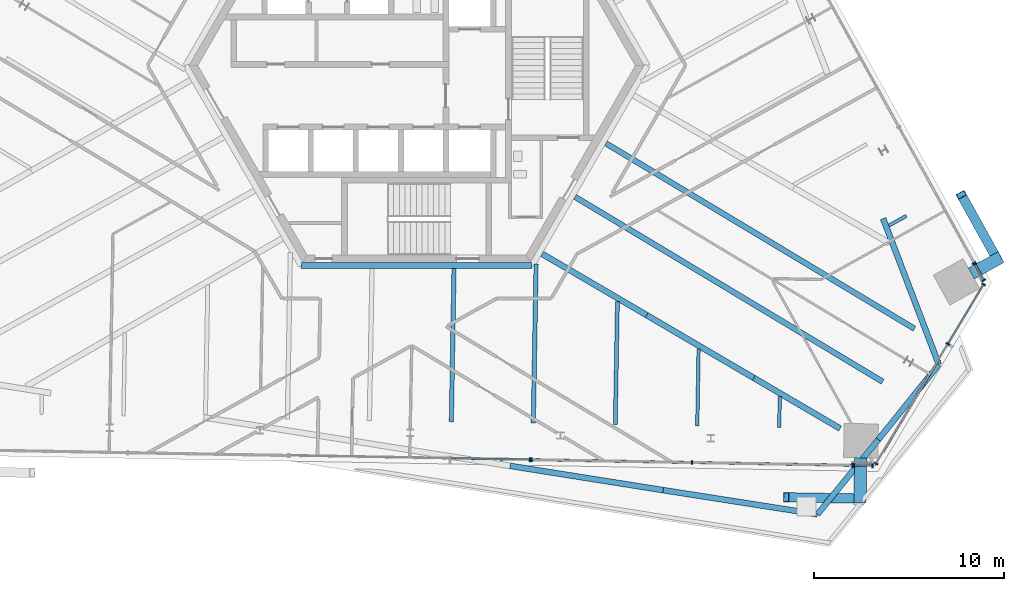
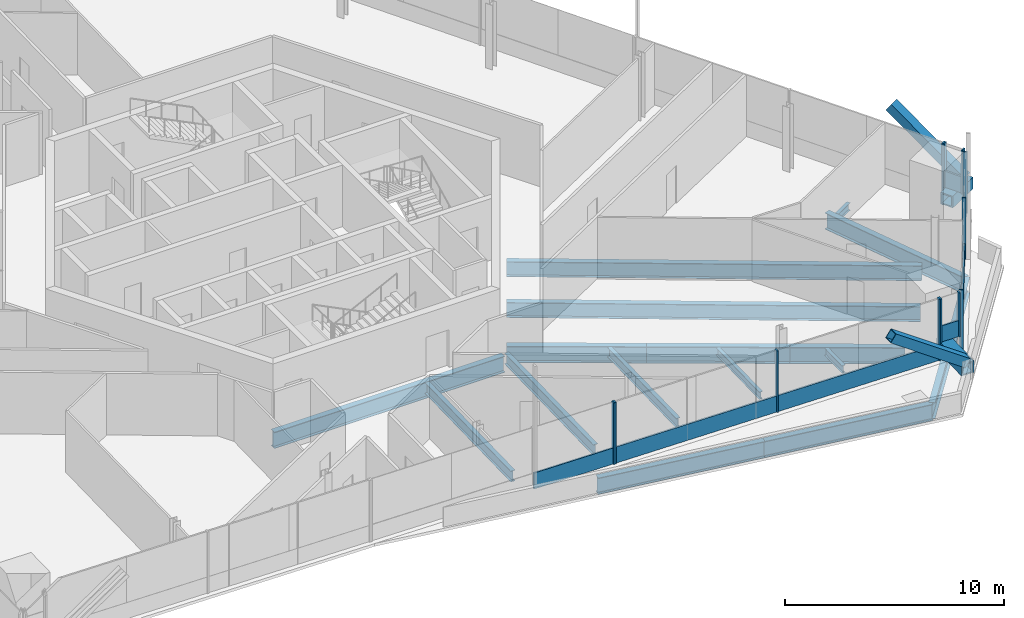
# One storey, part 6 of 22: 23 members, 17 beams, 6 elements without a shape of their own.
"""IFC4 building model written with IfcOpenShell, lengths in metres."""

from ifc_helpers import new_model, si_unit, direction, frame, origin, origin_2d, place, context, subcontext, project, spatial, rectangle, hollow_rectangle, i_section, extrude, source, transform, mapped, material, material_profile, profile_set, type_object, element, aggregate, save


model = new_model("IFC4")

# Units and contexts
model_context = context("Model", 3, precision=1e-05, world=origin(), true_north=direction((0.0, 1.0)))
body_context = subcontext(model_context, "Body", "Model", "MODEL_VIEW")
ifc_project = project(units=[si_unit("LENGTHUNIT", "METRE"), si_unit("AREAUNIT", "SQUARE_METRE"), si_unit("VOLUMEUNIT", "CUBIC_METRE"), si_unit("PLANEANGLEUNIT", "RADIAN"), si_unit("MASSUNIT", "GRAM", prefix="KILO")], contexts=[model_context])

# Site, building, storey
site_placement = place(None, origin())
site = spatial("IfcSite", under=ifc_project, at=site_placement, CompositionType="ELEMENT")
building_placement = place(site_placement, origin())
building = spatial("IfcBuilding", under=site, at=building_placement, Name="Triune Harvest Tower", CompositionType="ELEMENT")
storey_placement = place(building_placement, frame((0.0, 0.0, 179.89990234375)))
storey = spatial("IfcBuildingStorey", under=building, at=storey_placement, Name="L46", CompositionType="ELEMENT", Elevation=179.89990234375)

# Beams
ifc_material_1 = material(Name="Steel ASTM A992 Gr 50", Category="steel")
ifc_material_profile_1 = material_profile(ifc_material_1, i_section(OverallWidth=0.307373046875, OverallDepth=0.922119140625, WebThickness=0.018310546875, FlangeThickness=0.030029296875, at=origin_2d()), Name="W36x182")
ifc_profile_set_1 = profile_set([ifc_material_profile_1], Name="Steel ASTM A992 Gr 50")
beam_type_1 = type_object("IfcBeamType", Name="HG-2 Hip girder W36x182", PredefinedType="BEAM", material=ifc_profile_set_1)
beam_1_placement = place(storey_placement, frame((22.340576171875, -19.142822265625, -0.620849609375), z_axis=(-0.86273974144, 0.505648235971, 0.0), x_axis=(-0.505648235971, -0.86273974144, 0.0)))
element("IfcBeam", 1, at=beam_1_placement, inside=storey, type_object=beam_type_1, Name="beam/L46/HG8", PredefinedType="BEAM", context=body_context, shape_type="SweptSolid", body=[
    extrude(i_section(OverallWidth=0.307373046875, OverallDepth=0.922119140625, WebThickness=0.018310546875, FlangeThickness=0.030029296875, at=origin_2d()), origin(), (0.0, 0.0, 1.0), 5.275390625),
])
ifc_material_2 = material(Name="Steel ASTM A992 Gr 50", Category="steel")
ifc_material_profile_2 = material_profile(ifc_material_2, i_section(OverallWidth=0.180908203125, OverallDepth=0.41650390625, WebThickness=0.010986328125, FlangeThickness=0.01806640625, at=origin_2d()), Name="W16x57")
ifc_profile_set_2 = profile_set([ifc_material_profile_2], Name="Steel ASTM A992 Gr 50")
beam_type_2 = type_object("IfcBeamType", Name="JT-1 Floor joist W16x57", PredefinedType="JOIST", material=ifc_profile_set_2)
beam_2_placement = place(storey_placement, frame((14.80419921875, -19.01123046875, -0.3681640625), z_axis=(0.017471661648, 0.99984735887, 0.0), x_axis=(-0.99984735887, 0.017471661648, 0.0)))
element("IfcBeam", 2, at=beam_2_placement, inside=storey, type_object=beam_type_2, Name="beam/L46/JT33", PredefinedType="JOIST", context=body_context, shape_type="SweptSolid", body=[
    extrude(i_section(OverallWidth=0.180908203125, OverallDepth=0.41650390625, WebThickness=0.010986328125, FlangeThickness=0.01806640625, at=origin_2d()), origin(), (0.0, 0.0, 1.0), 4.06640625),
])
ifc_material_3 = material(Name="Steel ASTM A992 Gr 50", Category="steel")
ifc_material_profile_3 = material_profile(ifc_material_3, i_section(OverallWidth=0.2099609375, OverallDepth=0.535888671875, WebThickness=0.010986328125, FlangeThickness=0.017333984375, at=origin_2d()), Name="W21x68")
ifc_profile_set_3 = profile_set([ifc_material_profile_3], Name="Steel ASTM A992 Gr 50")
beam_type_3 = type_object("IfcBeamType", Name="JT-2 Floor joist W21x68", PredefinedType="JOIST", material=ifc_profile_set_3)
beam_3_placement = place(storey_placement, frame((10.48095703125, -18.935791015625, -0.427978515625), z_axis=(0.017465404685, 0.999847468187, 0.0), x_axis=(-0.999847468187, 0.017465404685, 0.0)))
element("IfcBeam", 3, at=beam_3_placement, inside=storey, type_object=beam_type_3, Name="beam/L46/JT32", PredefinedType="JOIST", context=body_context, shape_type="SweptSolid", body=[
    extrude(i_section(OverallWidth=0.2099609375, OverallDepth=0.535888671875, WebThickness=0.010986328125, FlangeThickness=0.017333984375, at=origin_2d()), origin(), (0.0, 0.0, 1.0), 6.5),
])
ifc_material_4 = material(Name="Steel ASTM A992 Gr 50", Category="steel")
ifc_material_profile_4 = material_profile(ifc_material_4, i_section(OverallWidth=0.22900390625, OverallDepth=0.612060546875, WebThickness=0.011962890625, FlangeThickness=0.01953125, at=origin_2d()), Name="W24x84")
ifc_profile_set_4 = profile_set([ifc_material_profile_4], Name="Steel ASTM A992 Gr 50")
beam_type_4 = type_object("IfcBeamType", Name="JT-3 Floor joist W24x84", PredefinedType="JOIST", material=ifc_profile_set_4)
beam_4_placement = place(storey_placement, frame((1.83447265625, -18.784912109375, -0.466064453125), z_axis=(0.017444821429, 0.999847827524, 0.0), x_axis=(-0.999847827524, 0.017444821429, 0.0)))
element("IfcBeam", 4, at=beam_4_placement, inside=storey, type_object=beam_type_4, Name="beam/L46/JT30", PredefinedType="JOIST", context=body_context, shape_type="SweptSolid", body=[
    extrude(i_section(OverallWidth=0.22900390625, OverallDepth=0.612060546875, WebThickness=0.011962890625, FlangeThickness=0.01953125, at=origin_2d()), origin(), (0.0, 0.0, 1.0), 8.089111328125),
])
ifc_material_5 = material(Name="Steel ASTM A992 Gr 50", Category="steel")
ifc_material_profile_5 = material_profile(ifc_material_5, i_section(OverallWidth=0.2919921875, OverallDepth=0.8408203125, WebThickness=0.0146484375, FlangeThickness=0.021728515625, at=origin_2d()), Name="W33x130")
ifc_profile_set_5 = profile_set([ifc_material_profile_5], Name="Steel ASTM A992 Gr 50")
beam_type_5 = type_object("IfcBeamType", Name="JT-6 Floor joist W33x130", PredefinedType="JOIST", material=ifc_profile_set_5)
beam_5_placement = place(storey_placement, frame((26.260986328125, -13.87841796875, -0.580322265625), z_axis=(-0.857160331704, 0.515049673093, 0.0), x_axis=(-0.515049673093, -0.857160331704, 0.0)))
element("IfcBeam", 5, at=beam_5_placement, inside=storey, type_object=beam_type_5, Name="beam/L46/JT36", PredefinedType="JOIST", context=body_context, shape_type="SweptSolid", body=[
    extrude(i_section(OverallWidth=0.2919921875, OverallDepth=0.8408203125, WebThickness=0.0146484375, FlangeThickness=0.021728515625, at=origin_2d()), origin(), (0.0, 0.0, 1.0), 18.987548828125),
])
ifc_material_6 = material(Name="Steel ASTM A992 Gr 50", Category="steel")
ifc_material_profile_6 = material_profile(ifc_material_6, i_section(OverallWidth=0.3046875, OverallDepth=0.914306640625, WebThickness=0.0166015625, FlangeThickness=0.02587890625, at=origin_2d()), Name="W36x160")
ifc_profile_set_6 = profile_set([ifc_material_profile_6], Name="Steel ASTM A992 Gr 50")
beam_type_6 = type_object("IfcBeamType", Name="CG-1 Core ring girder W36x160", PredefinedType="BEAM", material=ifc_profile_set_6)
shared_shape_1 = source(origin(), body_context, "Body", "SweptSolid", [
    extrude(i_section(OverallWidth=0.3046875, OverallDepth=0.914306640625, WebThickness=0.0166015625, FlangeThickness=0.02587890625, at=origin_2d()), origin(), (0.0, 0.0, 1.0), 12.17578125),
])
beam_6_placement = place(storey_placement, frame((-6.087890625, -10.544677734375, -0.6171875), z_axis=(1.0, 0.0, 0.0), x_axis=(0.0, 1.0, 0.0)))
element("IfcBeam", 6, at=beam_6_placement, inside=storey, type_object=beam_type_6, Name="beam/L46/CG5", PredefinedType="BEAM", context=body_context, shape_type="MappedRepresentation", body=[
    mapped(shared_shape_1, transform((0.0, 0.0, 0.0), scale=1.0)),
])
ifc_material_7 = material(Name="Steel ASTM A992 Gr 50", Category="steel")
ifc_material_profile_7 = material_profile(ifc_material_7, i_section(OverallWidth=0.3046875, OverallDepth=0.914306640625, WebThickness=0.0166015625, FlangeThickness=0.02587890625, at=origin_2d()), Name="W36x160")
ifc_profile_set_7 = profile_set([ifc_material_profile_7], Name="Steel ASTM A992 Gr 50")
beam_type_7 = type_object("IfcBeamType", Name="SB-1 Spandrel beam W36x160", PredefinedType="SPANDREL", material=ifc_profile_set_7)
shared_shape_2 = source(origin(), body_context, "Body", "SweptSolid", [
    extrude(i_section(OverallWidth=0.3046875, OverallDepth=0.914306640625, WebThickness=0.0166015625, FlangeThickness=0.02587890625, at=origin_2d()), origin(), (0.0, 0.0, 1.0), 8.235107421875),
])
for number, where, z_axis, x_axis, name in (
    (7, (27.54345703125, -15.76123046875, -0.6171875), (-0.356530317447, 0.934283753868, 0.0), (-0.934283753868, -0.356530317447, 0.0), "beam/L46/WB1"),
    (8, (13.007080078125, -22.392333984375, -0.6171875), (0.987990262641, -0.15451615102, 0.0), (0.15451615102, 0.987990262641, 0.0), "beam/L46/WB19"),
):
    element("IfcBeam", number, at=place(storey_placement, frame(where, z_axis=z_axis, x_axis=x_axis)), inside=storey, type_object=beam_type_7, Name=name, PredefinedType="SPANDREL", context=body_context, shape_type="MappedRepresentation", body=[
        mapped(shared_shape_2, transform((0.0, 0.0, 0.0), scale=1.0)),
    ])
shared_shape_3 = source(origin(), body_context, "Body", "SweptSolid", [
    extrude(i_section(OverallWidth=0.3046875, OverallDepth=0.914306640625, WebThickness=0.0166015625, FlangeThickness=0.02587890625, at=origin_2d()), origin(), (0.0, 0.0, 1.0), 8.1748046875),
])
beam_7_placement = place(storey_placement, frame((4.932861328125, -21.113525390625, -0.6171875), z_axis=(0.987688756855, -0.156431836853, 0.0), x_axis=(0.156431836853, 0.987688756855, 0.0)))
element("IfcBeam", 9, at=beam_7_placement, inside=storey, type_object=beam_type_7, Name="beam/L46/WB18", PredefinedType="SPANDREL", context=body_context, shape_type="MappedRepresentation", body=[
    mapped(shared_shape_3, transform((0.0, 0.0, 0.0), scale=1.0)),
])
shared_shape_4 = source(origin(), body_context, "Body", "SweptSolid", [
    extrude(i_section(OverallWidth=0.3046875, OverallDepth=0.914306640625, WebThickness=0.0166015625, FlangeThickness=0.02587890625, at=origin_2d()), origin(), (0.0, 0.0, 1.0), 5.0849609375),
])
for number, where, z_axis, x_axis, name in (
    (10, (21.143310546875, -23.664794921875, -0.6171875), (0.631783018922, 0.775145287673, 0.0), (-0.775145287673, 0.631783018922, 0.0), "beam/L46/WB20"),
    (11, (24.35595703125, -19.72314453125, -0.6171875), (0.626847363453, 0.779142081351, 0.0), (-0.779142081351, 0.626847363453, 0.0), "beam/L46/WB21"),
):
    element("IfcBeam", number, at=place(storey_placement, frame(where, z_axis=z_axis, x_axis=x_axis)), inside=storey, type_object=beam_type_7, Name=name, PredefinedType="SPANDREL", context=body_context, shape_type="MappedRepresentation", body=[
        mapped(shared_shape_4, transform((0.0, 0.0, 0.0), scale=1.0)),
    ])
shared_shape_5 = source(origin(), body_context, "Body", "SweptSolid", [
    extrude(i_section(OverallWidth=0.307373046875, OverallDepth=0.922119140625, WebThickness=0.018310546875, FlangeThickness=0.030029296875, at=origin_2d()), origin(), (0.0, 0.0, 1.0), 6.549560546875),
])
beam_8_placement = place(storey_placement, frame((17.789306640625, -16.475341796875, -0.620849609375), z_axis=(-0.862742829324, 0.50564296737, 0.0), x_axis=(-0.50564296737, -0.862742829324, 0.0)))
element("IfcBeam", 12, at=beam_8_placement, inside=storey, type_object=beam_type_1, Name="beam/L46/HG9", PredefinedType="BEAM", context=body_context, shape_type="MappedRepresentation", body=[
    mapped(shared_shape_5, transform((0.0, 0.0, 0.0), scale=1.0)),
])
shared_shape_6 = source(origin(), body_context, "Body", "SweptSolid", [
    extrude(i_section(OverallWidth=0.307373046875, OverallDepth=0.922119140625, WebThickness=0.018310546875, FlangeThickness=0.030029296875, at=origin_2d()), origin(), (0.0, 0.0, 1.0), 6.397216796875),
])
beam_9_placement = place(storey_placement, frame((12.138671875, -13.16357421875, -0.620849609375), z_axis=(-0.862754230068, 0.505623514583, 0.0), x_axis=(-0.505623514583, -0.862754230068, 0.0)))
element("IfcBeam", 13, at=beam_9_placement, inside=storey, type_object=beam_type_1, Name="beam/L46/HG10", PredefinedType="BEAM", context=body_context, shape_type="MappedRepresentation", body=[
    mapped(shared_shape_6, transform((0.0, 0.0, 0.0), scale=1.0)),
])
shared_shape_7 = source(origin(), body_context, "Body", "SweptSolid", [
    extrude(i_section(OverallWidth=0.180908203125, OverallDepth=0.41650390625, WebThickness=0.010986328125, FlangeThickness=0.01806640625, at=origin_2d()), origin(), (0.0, 0.0, 1.0), 1.052490234375),
])
beam_10_placement = place(storey_placement, frame((25.83251953125, -7.927978515625, -0.3681640625), z_axis=(-0.874649154322, -0.484756492318, 0.0), x_axis=(0.484756492318, -0.874649154322, 0.0)))
element("IfcBeam", 14, at=beam_10_placement, inside=storey, type_object=beam_type_2, Name="beam/L46/JT1", PredefinedType="JOIST", context=body_context, shape_type="MappedRepresentation", body=[
    mapped(shared_shape_7, transform((0.0, 0.0, 0.0), scale=1.0)),
])
shared_shape_8 = source(origin(), body_context, "Body", "SweptSolid", [
    extrude(i_section(OverallWidth=0.22900390625, OverallDepth=0.612060546875, WebThickness=0.011962890625, FlangeThickness=0.01953125, at=origin_2d()), origin(), (0.0, 0.0, 1.0), 8.38623046875),
])
beam_11_placement = place(storey_placement, frame((6.15771484375, -18.8603515625, -0.466064453125), z_axis=(0.017467126594, 0.999847438107, 0.0), x_axis=(-0.999847438107, 0.017467126594, 0.0)))
element("IfcBeam", 15, at=beam_11_placement, inside=storey, type_object=beam_type_4, Name="beam/L46/JT31", PredefinedType="JOIST", context=body_context, shape_type="MappedRepresentation", body=[
    mapped(shared_shape_8, transform((0.0, 0.0, 0.0), scale=1.0)),
])
shared_shape_9 = source(origin(), body_context, "Body", "SweptSolid", [
    extrude(i_section(OverallWidth=0.180908203125, OverallDepth=0.41650390625, WebThickness=0.010986328125, FlangeThickness=0.01806640625, at=origin_2d()), origin(), (0.0, 0.0, 1.0), 1.63232421875),
])
beam_12_placement = place(storey_placement, frame((19.12744140625, -19.086669921875, -0.3681640625), z_axis=(0.017499189927, 0.999846877453, 0.0), x_axis=(-0.999846877453, 0.017499189927, 0.0)))
element("IfcBeam", 16, at=beam_12_placement, inside=storey, type_object=beam_type_2, Name="beam/L46/JT34", PredefinedType="JOIST", context=body_context, shape_type="MappedRepresentation", body=[
    mapped(shared_shape_9, transform((0.0, 0.0, 0.0), scale=1.0)),
])
shared_shape_10 = source(origin(), body_context, "Body", "SweptSolid", [
    extrude(i_section(OverallWidth=0.2919921875, OverallDepth=0.8408203125, WebThickness=0.0146484375, FlangeThickness=0.021728515625, at=origin_2d()), origin(), (0.0, 0.0, 1.0), 18.930908203125),
])
beam_13_placement = place(storey_placement, frame((24.58251953125, -16.671875, -0.580322265625), z_axis=(-0.857162751854, 0.515045645389, 0.0), x_axis=(-0.515045645389, -0.857162751854, 0.0)))
element("IfcBeam", 17, at=beam_13_placement, inside=storey, type_object=beam_type_5, Name="beam/L46/JT35", PredefinedType="JOIST", context=body_context, shape_type="MappedRepresentation", body=[
    mapped(shared_shape_10, transform((0.0, 0.0, 0.0), scale=1.0)),
])

# Members
ifc_material_8 = material(Name="Steel ASTM A572 Gr 50", Category="steel")
ifc_material_profile_8 = material_profile(ifc_material_8, hollow_rectangle(XDim=0.64990234375, YDim=0.64990234375, WallThickness=0.070068359375, at=origin_2d()), Name="Box 650x650x70")
ifc_profile_set_8 = profile_set([ifc_material_profile_8], Name="Steel ASTM A572 Gr 50")
member_type_1 = type_object("IfcMemberType", Name="BS-1 Brace stub Box 650x650x70", PredefinedType="STRUT", material=ifc_profile_set_8)
shared_shape_11 = source(origin(), body_context, "Body", "SweptSolid", [
    extrude(hollow_rectangle(XDim=0.64990234375, YDim=0.64990234375, WallThickness=0.070068359375, at=origin_2d()), origin(), (0.0, 0.0, 1.0), 1.787109375),
])
member_1_placement = place(storey_placement, frame((29.262451171875, -10.970458984375, 0.60009765625), z_axis=(0.874601548989, 0.48484237697, 0.0), x_axis=(-0.48484237697, 0.874601548989, 0.0)))
element("IfcMember", 18, at=member_1_placement, inside=storey, type_object=member_type_1, Name="brace/B5-F1/stub1", PredefinedType="STRUT", context=body_context, shape_type="MappedRepresentation", body=[
    mapped(shared_shape_11, transform((0.0, 0.0, 0.0), scale=1.0)),
])
ifc_material_9 = material(Name="Steel ASTM A572 Gr 50", Category="steel")
ifc_material_profile_9 = material_profile(ifc_material_9, hollow_rectangle(XDim=0.5, YDim=0.5, WallThickness=0.030029296875, at=origin_2d()), Name="Box 500x500x30")
ifc_profile_set_9 = profile_set([ifc_material_profile_9], Name="Steel ASTM A572 Gr 50")
member_type_2 = type_object("IfcMemberType", Name="BR-3 Brace Box 500x500x30", PredefinedType="BRACE", material=ifc_profile_set_9)
shared_shape_12 = source(origin(), body_context, "Body", "SweptSolid", [
    extrude(hollow_rectangle(XDim=0.5, YDim=0.5, WallThickness=0.030029296875, at=origin_2d()), origin(), (0.0, 0.0, 1.0), 4.74462890625),
])
for number, where, z_axis, x_axis, name in (
    (19, (30.6201171875, -10.218017578125, 0.89013671875), (-0.398004214914, 0.717899781057, 0.571150198519), (-0.874585679442, -0.484871002758, 0.0), "brace/B5-F1/d1/1"),
    (20, (23.38671875, -22.838623046875, 0.89013671875), (-0.820716318027, 0.014304648051, 0.571156810665), (-0.017426820271, -0.999848141437, 0.0), "brace/B5-F5/d2/1"),
):
    element("IfcMember", number, at=place(storey_placement, frame(where, z_axis=z_axis, x_axis=x_axis)), inside=storey, type_object=member_type_2, Name=name, PredefinedType="BRACE", context=body_context, shape_type="MappedRepresentation", body=[
        mapped(shared_shape_12, transform((0.0, 0.0, 0.0), scale=1.0)),
    ])
shared_shape_13 = source(origin(), body_context, "Body", "SweptSolid", [
    extrude(hollow_rectangle(XDim=0.64990234375, YDim=0.64990234375, WallThickness=0.070068359375, at=origin_2d()), origin(), (0.0, 0.0, 1.0), 2.386962890625),
])
member_2_placement = place(storey_placement, frame((23.42431640625, -20.68701171875, 0.60009765625), z_axis=(-0.017489141378, -0.999847053271, 0.0), x_axis=(0.999847053271, -0.017489141378, 0.0)))
element("IfcMember", 21, at=member_2_placement, inside=storey, type_object=member_type_1, Name="brace/B5-F5/stub3", PredefinedType="STRUT", context=body_context, shape_type="MappedRepresentation", body=[
    mapped(shared_shape_13, transform((0.0, 0.0, 0.0), scale=1.0)),
])

# Curtain wall, member
ifc_material_10 = material(Name="Aluminium bronze anodised", Category="aluminium")
curtain_wall_type_1 = type_object("IfcCurtainWallType", Name="CW-7 Tower stick curtain wall with insulated spandrel infill", PredefinedType="NOTDEFINED", material=ifc_material_10)
curtain_wall_1_placement = place(storey_placement, origin())
curtain_wall_1 = element("IfcCurtainWall", 22, at=curtain_wall_1_placement, inside=storey, type_object=curtain_wall_type_1, Name="CW-7 B5-F1 L46 run 101")
ifc_material_11 = material(Name="Aluminium bronze anodised", Category="aluminium")
ifc_material_profile_10 = material_profile(ifc_material_11, rectangle(XDim=0.199951171875, YDim=0.074951171875, at=origin_2d()), Name="MU-1 mullion 75 x 200")
ifc_profile_set_10 = profile_set([ifc_material_profile_10], Name="Aluminium bronze anodised")
member_type_3 = type_object("IfcMemberType", Name="MU-1 mullion 75 x 200", PredefinedType="MULLION", material=ifc_profile_set_10)
shared_shape_14 = source(origin(), body_context, "Body", "SweptSolid", [
    extrude(rectangle(XDim=0.199951171875, YDim=0.074951171875, at=origin_2d()), origin(), (0.0, 0.0, 1.0), 3.440185546875),
])
member_3_placement = place(storey_placement, frame((29.409423828125, -10.406005859375, 0.0), z_axis=(0.0, 0.0, 1.0), x_axis=(-0.874619307307, -0.484810341563, 0.0)))
member_3 = element("IfcMember", 23, at=member_3_placement, type_object=member_type_3, Name="CW-7 mullion B5-F1 101.1", PredefinedType="MULLION", context=body_context, shape_type="MappedRepresentation", body=[
    mapped(shared_shape_14, transform((0.0, 0.0, 0.0), scale=1.0)),
])
aggregate(curtain_wall_1, [member_3])

ifc_material_12 = material(Name="Aluminium bronze anodised", Category="aluminium")
curtain_wall_type_2 = type_object("IfcCurtainWallType", Name="CW-1 Tower stick curtain wall", PredefinedType="NOTDEFINED", material=ifc_material_12)
curtain_wall_2_placement = place(storey_placement, origin())
curtain_wall_2 = element("IfcCurtainWall", 24, at=curtain_wall_2_placement, inside=storey, type_object=curtain_wall_type_2, Name="CW-1 B5-F5 L46 run 1101")
member_4_placement = place(storey_placement, frame((5.9814453125, -20.78466796875, 0.0), z_axis=(0.0, 0.0, 1.0), x_axis=(0.017450593962, 0.999847726792, 0.0)))
member_4 = element("IfcMember", 25, at=member_4_placement, type_object=member_type_3, Name="CW-1 mullion B5-F5 1101.4", PredefinedType="MULLION", context=body_context, shape_type="MappedRepresentation", body=[
    mapped(shared_shape_14, transform((0.0, 0.0, 0.0), scale=1.0)),
])

# Curtain wall, members
curtain_wall_3_placement = place(storey_placement, origin())
curtain_wall_3 = element("IfcCurtainWall", 26, at=curtain_wall_3_placement, inside=storey, type_object=curtain_wall_type_1, Name="CW-7 B5-F5 L46 run 2101")
member_5_placement = place(storey_placement, frame((6.056396484375, -20.785888671875, 0.0), z_axis=(0.0, 0.0, 1.0), x_axis=(0.017454373979, 0.999847660811, 0.0)))
member_5 = element("IfcMember", 27, at=member_5_placement, type_object=member_type_3, Name="CW-7 mullion B5-F5 2101.1", PredefinedType="MULLION", context=body_context, shape_type="MappedRepresentation", body=[
    mapped(shared_shape_14, transform((0.0, 0.0, 0.0), scale=1.0)),
])
member_6_placement = place(storey_placement, frame((14.525634765625, -20.933837890625, 0.0), z_axis=(0.0, 0.0, 1.0), x_axis=(0.017454373979, 0.999847660811, 0.0)))
member_6 = element("IfcMember", 28, at=member_6_placement, type_object=member_type_3, Name="CW-7 mullion B5-F5 2101.3", PredefinedType="MULLION", context=body_context, shape_type="MappedRepresentation", body=[
    mapped(shared_shape_14, transform((0.0, 0.0, 0.0), scale=1.0)),
])
member_7_placement = place(storey_placement, frame((22.99462890625, -21.08154296875, 0.0), z_axis=(0.0, 0.0, 1.0), x_axis=(0.017454373979, 0.999847660811, 0.0)))
member_7 = element("IfcMember", 29, at=member_7_placement, type_object=member_type_3, Name="CW-7 mullion B5-F5 2101.5", PredefinedType="MULLION", context=body_context, shape_type="MappedRepresentation", body=[
    mapped(shared_shape_14, transform((0.0, 0.0, 0.0), scale=1.0)),
])

curtain_wall_4_placement = place(storey_placement, origin())
curtain_wall_4 = element("IfcCurtainWall", 30, at=curtain_wall_4_placement, inside=storey, type_object=curtain_wall_type_2, Name="CW-1 B5-F6 L46 run 1")
member_8_placement = place(storey_placement, frame((24.234619140625, -20.992919921875, 0.0), z_axis=(0.0, 0.0, 1.0), x_axis=(-0.857168135313, 0.515036685882, 0.0)))
member_8 = element("IfcMember", 31, at=member_8_placement, type_object=member_type_3, Name="CW-1 mullion B5-F6 1.1", PredefinedType="MULLION", context=body_context, shape_type="MappedRepresentation", body=[
    mapped(shared_shape_14, transform((0.0, 0.0, 0.0), scale=1.0)),
])
member_9_placement = place(storey_placement, frame((28.026611328125, -14.681884765625, 0.0), z_axis=(0.0, 0.0, 1.0), x_axis=(-0.857168135313, 0.515036685882, 0.0)))
member_9 = element("IfcMember", 32, at=member_9_placement, type_object=member_type_3, Name="CW-1 mullion B5-F6 1.3", PredefinedType="MULLION", context=body_context, shape_type="MappedRepresentation", body=[
    mapped(shared_shape_14, transform((0.0, 0.0, 0.0), scale=1.0)),
])
member_10_placement = place(storey_placement, frame((29.912841796875, -11.54248046875, 0.0), z_axis=(0.0, 0.0, 1.0), x_axis=(-0.857168135313, 0.515036685882, 0.0)))
member_10 = element("IfcMember", 33, at=member_10_placement, type_object=member_type_3, Name="CW-1 mullion B5-F6 1.4", PredefinedType="MULLION", context=body_context, shape_type="MappedRepresentation", body=[
    mapped(shared_shape_14, transform((0.0, 0.0, 0.0), scale=1.0)),
])

curtain_wall_5_placement = place(storey_placement, origin())
curtain_wall_5 = element("IfcCurtainWall", 34, at=curtain_wall_5_placement, inside=storey, type_object=curtain_wall_type_2, Name="CW-1 B5-F1 L46 run 1")
shared_shape_15 = source(origin(), body_context, "Body", "SweptSolid", [
    extrude(rectangle(XDim=0.199951171875, YDim=0.074951171875, at=origin_2d()), origin(), (0.0, 0.0, 1.0), 2.455078125),
])
member_11_placement = place(storey_placement, frame((29.916748046875, -11.321533203125, 0.985107421875), z_axis=(0.0, 0.0, 1.0), x_axis=(-0.874629982059, -0.484791083337, 0.0)))
member_11 = element("IfcMember", 35, at=member_11_placement, type_object=member_type_3, Name="CW-1 mullion B5-F1 1.1", PredefinedType="MULLION", context=body_context, shape_type="MappedRepresentation", body=[
    mapped(shared_shape_15, transform((0.0, 0.0, 0.0), scale=1.0)),
])
member_12_placement = place(storey_placement, frame((29.44580078125, -10.4716796875, 0.985107421875), z_axis=(0.0, 0.0, 1.0), x_axis=(-0.874629982059, -0.484791083337, 0.0)))
member_12 = element("IfcMember", 36, at=member_12_placement, type_object=member_type_3, Name="CW-1 mullion B5-F1 1.2", PredefinedType="MULLION", context=body_context, shape_type="MappedRepresentation", body=[
    mapped(shared_shape_15, transform((0.0, 0.0, 0.0), scale=1.0)),
])

curtain_wall_6_placement = place(storey_placement, origin())
curtain_wall_6 = element("IfcCurtainWall", 37, at=curtain_wall_6_placement, inside=storey, type_object=curtain_wall_type_2, Name="CW-1 B5-F5 L46 run 201")
member_13_placement = place(storey_placement, frame((23.069580078125, -21.0830078125, 0.985107421875), z_axis=(0.0, 0.0, 1.0), x_axis=(0.017385353313, 0.999848863324, 0.0)))
member_13 = element("IfcMember", 38, at=member_13_placement, type_object=member_type_3, Name="CW-1 mullion B5-F5 201.1", PredefinedType="MULLION", context=body_context, shape_type="MappedRepresentation", body=[
    mapped(shared_shape_15, transform((0.0, 0.0, 0.0), scale=1.0)),
])
member_14_placement = place(storey_placement, frame((24.04150390625, -21.099853515625, 0.985107421875), z_axis=(0.0, 0.0, 1.0), x_axis=(0.017385353313, 0.999848863324, 0.0)))
member_14 = element("IfcMember", 39, at=member_14_placement, type_object=member_type_3, Name="CW-1 mullion B5-F5 201.2", PredefinedType="MULLION", context=body_context, shape_type="MappedRepresentation", body=[
    mapped(shared_shape_15, transform((0.0, 0.0, 0.0), scale=1.0)),
])

# Member
ifc_material_13 = material(Name="Aluminium bronze anodised", Category="aluminium")
ifc_material_profile_11 = material_profile(ifc_material_13, rectangle(XDim=0.090087890625, YDim=0.89990234375, at=origin_2d()), Name="TR-1 transom 90 x 900")
ifc_profile_set_11 = profile_set([ifc_material_profile_11], Name="Aluminium bronze anodised")
member_type_4 = type_object("IfcMemberType", Name="TR-1 transom 90 x 900", PredefinedType="USERDEFINED", material=ifc_profile_set_11)
shared_shape_16 = source(origin(), body_context, "Body", "SweptSolid", [
    extrude(rectangle(XDim=0.090087890625, YDim=0.89990234375, at=origin_2d()), origin(), (0.0, 0.0, 1.0), 0.89697265625),
])
member_15_placement = place(storey_placement, frame((29.898681640625, -11.288818359375, 1.43505859375), z_axis=(-0.484810665086, 0.874619127974, 0.0), x_axis=(-0.874619127974, -0.484810665086, 0.0)))
member_15 = element("IfcMember", 40, at=member_15_placement, type_object=member_type_4, Name="CW-1 transom B5-F1 1.1", ObjectType="TRANSOM", PredefinedType="USERDEFINED", context=body_context, shape_type="MappedRepresentation", body=[
    mapped(shared_shape_16, transform((0.0, 0.0, 0.0), scale=1.0)),
])

aggregate(curtain_wall_5, [member_11, member_12, member_15])

member_16_placement = place(storey_placement, frame((23.107177734375, -21.08349609375, 1.43505859375), z_axis=(0.999848228853, -0.017421804151, 0.0), x_axis=(0.017421804151, 0.999848228853, 0.0)))
member_16 = element("IfcMember", 41, at=member_16_placement, type_object=member_type_4, Name="CW-1 transom B5-F5 201.1", ObjectType="TRANSOM", PredefinedType="USERDEFINED", context=body_context, shape_type="MappedRepresentation", body=[
    mapped(shared_shape_16, transform((0.0, 0.0, 0.0), scale=1.0)),
])

aggregate(curtain_wall_6, [member_13, member_14, member_16])

shared_shape_17 = source(origin(), body_context, "Body", "SweptSolid", [
    extrude(rectangle(XDim=0.090087890625, YDim=0.89990234375, at=origin_2d()), origin(), (0.0, 0.0, 1.0), 7.287841796875),
])
member_17_placement = place(storey_placement, frame((24.25390625, -20.960693359375, 0.4501953125), z_axis=(0.515032643637, 0.857170564117, 0.0), x_axis=(-0.857170564117, 0.515032643637, 0.0)))
member_17 = element("IfcMember", 42, at=member_17_placement, type_object=member_type_4, Name="CW-1 transom B5-F6 1.1", ObjectType="TRANSOM", PredefinedType="USERDEFINED", context=body_context, shape_type="MappedRepresentation", body=[
    mapped(shared_shape_17, transform((0.0, 0.0, 0.0), scale=1.0)),
])

shared_shape_18 = source(origin(), body_context, "Body", "SweptSolid", [
    extrude(rectangle(XDim=0.090087890625, YDim=0.89990234375, at=origin_2d()), origin(), (0.0, 0.0, 1.0), 8.395263671875),
])
member_18_placement = place(storey_placement, frame((6.093994140625, -20.78662109375, 0.4501953125), z_axis=(0.999847766212, -0.017448335167, 0.0), x_axis=(0.017448335167, 0.999847766212, 0.0)))
member_18 = element("IfcMember", 43, at=member_18_placement, type_object=member_type_4, Name="CW-7 transom B5-F5 2101.1", ObjectType="TRANSOM", PredefinedType="USERDEFINED", context=body_context, shape_type="MappedRepresentation", body=[
    mapped(shared_shape_18, transform((0.0, 0.0, 0.0), scale=1.0)),
])

shared_shape_19 = source(origin(), body_context, "Body", "SweptSolid", [
    extrude(rectangle(XDim=0.090087890625, YDim=0.89990234375, at=origin_2d()), origin(), (0.0, 0.0, 1.0), 8.3955078125),
])
member_19_placement = place(storey_placement, frame((14.56298828125, -20.9345703125, 0.4501953125), z_axis=(0.999847775065, -0.017447827852, 0.0), x_axis=(0.017447827852, 0.999847775065, 0.0)))
member_19 = element("IfcMember", 44, at=member_19_placement, type_object=member_type_4, Name="CW-7 transom B5-F5 2101.2", ObjectType="TRANSOM", PredefinedType="USERDEFINED", context=body_context, shape_type="MappedRepresentation", body=[
    mapped(shared_shape_19, transform((0.0, 0.0, 0.0), scale=1.0)),
])

aggregate(curtain_wall_3, [member_5, member_6, member_7, member_18, member_19])

shared_shape_20 = source(origin(), body_context, "Body", "SweptSolid", [
    extrude(rectangle(XDim=0.090087890625, YDim=0.89990234375, at=origin_2d()), origin(), (0.0, 0.0, 1.0), 4.1416015625),
])
member_20_placement = place(storey_placement, frame((1.80322265625, -20.711669921875, 0.4501953125), z_axis=(0.999847752094, -0.017449144191, 0.0), x_axis=(0.017449144191, 0.999847752094, 0.0)))
member_20 = element("IfcMember", 45, at=member_20_placement, type_object=member_type_4, Name="CW-1 transom B5-F5 1101.2", ObjectType="TRANSOM", PredefinedType="USERDEFINED", context=body_context, shape_type="MappedRepresentation", body=[
    mapped(shared_shape_20, transform((0.0, 0.0, 0.0), scale=1.0)),
])

aggregate(curtain_wall_2, [member_4, member_20])

shared_shape_21 = source(origin(), body_context, "Body", "SweptSolid", [
    extrude(rectangle(XDim=0.090087890625, YDim=0.89990234375, at=origin_2d()), origin(), (0.0, 0.0, 1.0), 3.587646484375),
])
member_21_placement = place(storey_placement, frame((28.0458984375, -14.649658203125, 0.4501953125), z_axis=(0.515016056834, 0.857180530112, 0.0), x_axis=(-0.857180530112, 0.515016056834, 0.0)))
member_21 = element("IfcMember", 46, at=member_21_placement, type_object=member_type_4, Name="CW-1 transom B5-F6 1.2", ObjectType="TRANSOM", PredefinedType="USERDEFINED", context=body_context, shape_type="MappedRepresentation", body=[
    mapped(shared_shape_21, transform((0.0, 0.0, 0.0), scale=1.0)),
])

aggregate(curtain_wall_4, [member_8, member_9, member_10, member_17, member_21])

save(model, "model.ifc")
